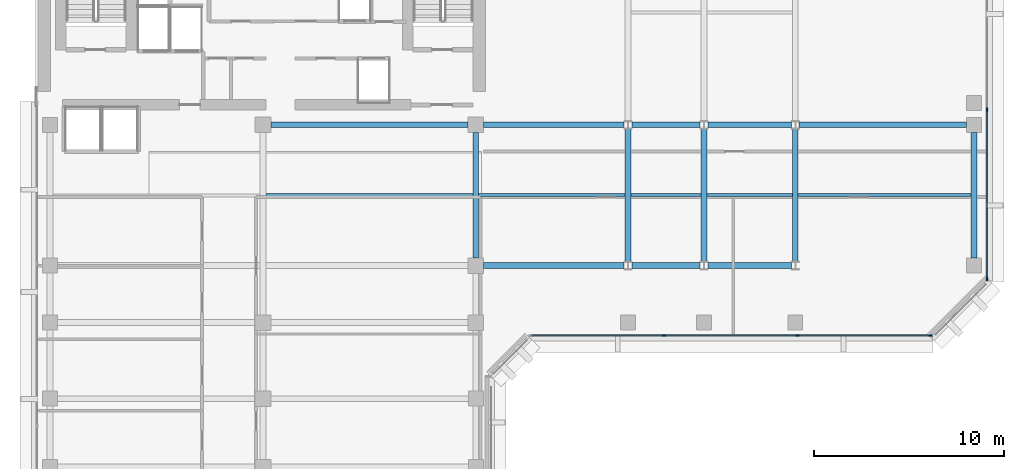
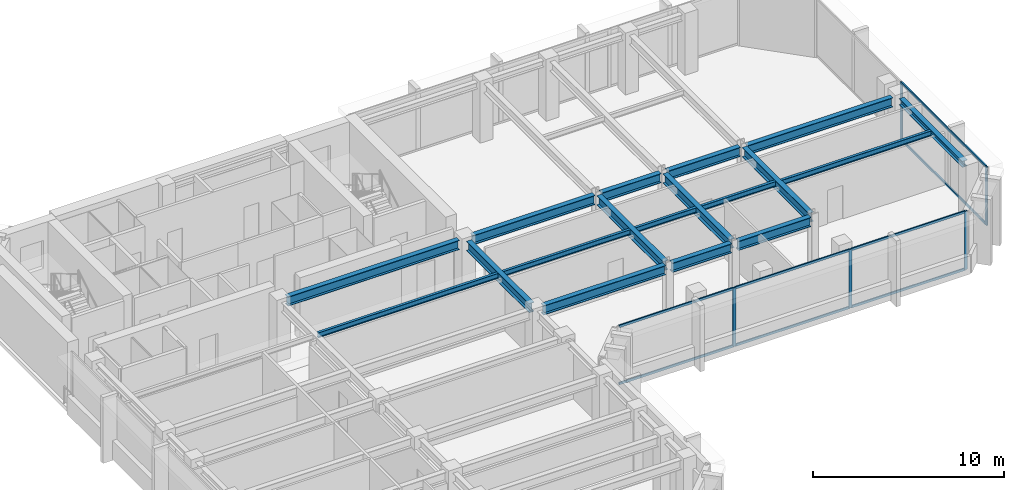
# One storey, part 3 of 12: 18 beams, 13 members, 2 elements without a shape of their own.
"""IFC4 building model written with IfcOpenShell, lengths in metres."""

from ifc_helpers import new_model, si_unit, direction, frame, origin, origin_2d, place, context, subcontext, project, spatial, rectangle, i_section, extrude, material, layer, layer_set, material_profile, profile_set, type_object, element, aggregate, save


model = new_model("IFC4")

# Units and contexts
model_context = context("Model", 3, precision=1e-05, world=origin(), true_north=direction((0.0, 1.0)))
body_context = subcontext(model_context, "Body", "Model", "MODEL_VIEW")
ifc_project = project(units=[si_unit("LENGTHUNIT", "METRE"), si_unit("AREAUNIT", "SQUARE_METRE"), si_unit("VOLUMEUNIT", "CUBIC_METRE"), si_unit("PLANEANGLEUNIT", "RADIAN"), si_unit("MASSUNIT", "GRAM", prefix="KILO")], contexts=[model_context])

# Site, building, storey
site_placement = place(None, origin())
site = spatial("IfcSite", under=ifc_project, at=site_placement, CompositionType="ELEMENT")
building_placement = place(site_placement, origin())
building = spatial("IfcBuilding", under=site, at=building_placement, Name="Kefirva Bronze Tower", CompositionType="ELEMENT")
storey_placement = place(building_placement, frame((0.0, 0.0, 268.2900390625)))
storey = spatial("IfcBuildingStorey", under=building, at=storey_placement, Name="L65", CompositionType="ELEMENT", Elevation=268.2900390625)

# Curtain wall, members
ifc_material_1 = material(Name="Bronze anodised aluminium", Category="aluminium")
ifc_layer = layer(ifc_material_1, 0.179931640625, Name="Bronze anodised aluminium")
ifc_layer_set = layer_set([ifc_layer], Name="Bronze anodised aluminium")
curtain_wall_type = type_object("IfcCurtainWallType", Name="Unitised Bronze Ribbon Curtain Wall Zone 3", PredefinedType="USERDEFINED", material=ifc_layer_set)
curtain_wall_1_placement = place(storey_placement, origin())
curtain_wall_1 = element("IfcCurtainWall", 1, at=curtain_wall_1_placement, inside=storey, type_object=curtain_wall_type, Name="L65 Curtain Wall 2", ObjectType="UNITISED CURTAIN WALL", PredefinedType="USERDEFINED")
ifc_material_profile_1 = material_profile(ifc_material_1, rectangle(XDim=0.074951171875, YDim=0.179931640625, at=origin_2d()), Name="ALU 75x180")
ifc_profile_set_1 = profile_set([ifc_material_profile_1], Name="Bronze anodised aluminium")
member_type_1 = type_object("IfcMemberType", Name="Bronze Mullion 75x180", PredefinedType="MULLION", material=ifc_profile_set_1)
member_1_placement = place(storey_placement, frame((33.0849609375, 22.1201171875, 0.0), z_axis=(0.0, 0.0, 1.0), x_axis=(0.0, 1.0, 0.0)))
member_1 = element("IfcMember", 2, at=member_1_placement, type_object=member_type_1, Name="CW-03 mullion 2", PredefinedType="MULLION", context=body_context, shape_type="SweptSolid", body=[
    extrude(rectangle(XDim=0.074951171875, YDim=0.179931640625, at=origin_2d()), origin(), (0.0, 0.0, 1.0), 3.739990234375),
])
member_2_placement = place(storey_placement, frame((40.114990234375, 22.1201171875, 0.0), z_axis=(0.0, 0.0, 1.0), x_axis=(0.0, 1.0, 0.0)))
member_2 = element("IfcMember", 3, at=member_2_placement, type_object=member_type_1, Name="CW-03 mullion 3", PredefinedType="MULLION", context=body_context, shape_type="SweptSolid", body=[
    extrude(rectangle(XDim=0.074951171875, YDim=0.179931640625, at=origin_2d()), origin(), (0.0, 0.0, 1.0), 3.739990234375),
])
member_3_placement = place(storey_placement, frame((47.107421875, 22.1201171875, 0.0), z_axis=(0.0, 0.0, 1.0), x_axis=(0.0, 1.0, 0.0)))
member_3 = element("IfcMember", 4, at=member_3_placement, type_object=member_type_1, Name="CW-03 mullion 4", PredefinedType="MULLION", context=body_context, shape_type="SweptSolid", body=[
    extrude(rectangle(XDim=0.074951171875, YDim=0.179931640625, at=origin_2d()), origin(), (0.0, 0.0, 1.0), 3.739990234375),
])

curtain_wall_2_placement = place(storey_placement, origin())
curtain_wall_2 = element("IfcCurtainWall", 5, at=curtain_wall_2_placement, inside=storey, type_object=curtain_wall_type, Name="L65 Curtain Wall 3", ObjectType="UNITISED CURTAIN WALL", PredefinedType="USERDEFINED")
member_4_placement = place(storey_placement, frame((50.080078125, 25.092529296875, 0.0), z_axis=(0.0, 0.0, 1.0), x_axis=(-1.0, 0.0, 0.0)))
member_4 = element("IfcMember", 6, at=member_4_placement, type_object=member_type_1, Name="CW-03 mullion 1", PredefinedType="MULLION", context=body_context, shape_type="SweptSolid", body=[
    extrude(rectangle(XDim=0.074951171875, YDim=0.179931640625, at=origin_2d()), origin(), (0.0, 0.0, 1.0), 3.739990234375),
])
member_5_placement = place(storey_placement, frame((50.080078125, 34.0, 0.0), z_axis=(0.0, 0.0, 1.0), x_axis=(-1.0, 0.0, 0.0)))
member_5 = element("IfcMember", 7, at=member_5_placement, type_object=member_type_1, Name="CW-03 mullion 2", PredefinedType="MULLION", context=body_context, shape_type="SweptSolid", body=[
    extrude(rectangle(XDim=0.074951171875, YDim=0.179931640625, at=origin_2d()), origin(), (0.0, 0.0, 1.0), 3.739990234375),
])

# Member
ifc_material_profile_2 = material_profile(ifc_material_1, rectangle(XDim=0.074951171875, YDim=0.14990234375, at=origin_2d()), Name="ALU 75x150")
ifc_profile_set_2 = profile_set([ifc_material_profile_2], Name="Bronze anodised aluminium")
member_type_2 = type_object("IfcMemberType", Name="Bronze Transom 75x150", PredefinedType="USERDEFINED", material=ifc_profile_set_2)
member_6_placement = place(storey_placement, frame((26.1298828125, 22.1201171875, 0.037353515625), z_axis=(1.0, 0.0, 0.0), x_axis=(0.0, 1.0, 0.0)))
member_6 = element("IfcMember", 8, at=member_6_placement, type_object=member_type_2, Name="CW-03 transom 1.1", ObjectType="TRANSOM", PredefinedType="USERDEFINED", context=body_context, shape_type="SweptSolid", body=[
    extrude(rectangle(XDim=0.074951171875, YDim=0.14990234375, at=origin_2d()), origin(), (0.0, 0.0, 1.0), 6.917724609375),
])

member_7_placement = place(storey_placement, frame((26.1298828125, 22.1201171875, 3.702392578125), z_axis=(1.0, 0.0, 0.0), x_axis=(0.0, 1.0, 0.0)))
member_7 = element("IfcMember", 9, at=member_7_placement, type_object=member_type_2, Name="CW-03 transom 1.2", ObjectType="TRANSOM", PredefinedType="USERDEFINED", context=body_context, shape_type="SweptSolid", body=[
    extrude(rectangle(XDim=0.074951171875, YDim=0.14990234375, at=origin_2d()), origin(), (0.0, 0.0, 1.0), 6.917724609375),
])

member_8_placement = place(storey_placement, frame((33.12255859375, 22.1201171875, 0.037353515625), z_axis=(1.0, 0.0, 0.0), x_axis=(0.0, 1.0, 0.0)))
member_8 = element("IfcMember", 10, at=member_8_placement, type_object=member_type_2, Name="CW-03 transom 2.1", ObjectType="TRANSOM", PredefinedType="USERDEFINED", context=body_context, shape_type="SweptSolid", body=[
    extrude(rectangle(XDim=0.074951171875, YDim=0.14990234375, at=origin_2d()), origin(), (0.0, 0.0, 1.0), 6.954833984375),
])

member_9_placement = place(storey_placement, frame((33.12255859375, 22.1201171875, 3.702392578125), z_axis=(1.0, 0.0, 0.0), x_axis=(0.0, 1.0, 0.0)))
member_9 = element("IfcMember", 11, at=member_9_placement, type_object=member_type_2, Name="CW-03 transom 2.2", ObjectType="TRANSOM", PredefinedType="USERDEFINED", context=body_context, shape_type="SweptSolid", body=[
    extrude(rectangle(XDim=0.074951171875, YDim=0.14990234375, at=origin_2d()), origin(), (0.0, 0.0, 1.0), 6.954833984375),
])

member_10_placement = place(storey_placement, frame((40.152587890625, 22.1201171875, 0.037353515625), z_axis=(1.0, 0.0, 0.0), x_axis=(0.0, 1.0, 0.0)))
member_10 = element("IfcMember", 12, at=member_10_placement, type_object=member_type_2, Name="CW-03 transom 3.1", ObjectType="TRANSOM", PredefinedType="USERDEFINED", context=body_context, shape_type="SweptSolid", body=[
    extrude(rectangle(XDim=0.074951171875, YDim=0.14990234375, at=origin_2d()), origin(), (0.0, 0.0, 1.0), 6.91748046875),
])

member_11_placement = place(storey_placement, frame((40.152587890625, 22.1201171875, 3.702392578125), z_axis=(1.0, 0.0, 0.0), x_axis=(0.0, 1.0, 0.0)))
member_11 = element("IfcMember", 13, at=member_11_placement, type_object=member_type_2, Name="CW-03 transom 3.2", ObjectType="TRANSOM", PredefinedType="USERDEFINED", context=body_context, shape_type="SweptSolid", body=[
    extrude(rectangle(XDim=0.074951171875, YDim=0.14990234375, at=origin_2d()), origin(), (0.0, 0.0, 1.0), 6.91748046875),
])

aggregate(curtain_wall_1, [member_1, member_2, member_3, member_6, member_7, member_8, member_9, member_10, member_11])

member_12_placement = place(storey_placement, frame((50.080078125, 25.1298828125, 0.037353515625), z_axis=(0.0, 1.0, 0.0), x_axis=(-1.0, 0.0, 0.0)))
member_12 = element("IfcMember", 14, at=member_12_placement, type_object=member_type_2, Name="CW-03 transom 1.1", ObjectType="TRANSOM", PredefinedType="USERDEFINED", context=body_context, shape_type="SweptSolid", body=[
    extrude(rectangle(XDim=0.074951171875, YDim=0.14990234375, at=origin_2d()), origin(), (0.0, 0.0, 1.0), 8.83251953125),
])

member_13_placement = place(storey_placement, frame((50.080078125, 25.1298828125, 3.702392578125), z_axis=(0.0, 1.0, 0.0), x_axis=(-1.0, 0.0, 0.0)))
member_13 = element("IfcMember", 15, at=member_13_placement, type_object=member_type_2, Name="CW-03 transom 1.2", ObjectType="TRANSOM", PredefinedType="USERDEFINED", context=body_context, shape_type="SweptSolid", body=[
    extrude(rectangle(XDim=0.074951171875, YDim=0.14990234375, at=origin_2d()), origin(), (0.0, 0.0, 1.0), 8.83251953125),
])

aggregate(curtain_wall_2, [member_4, member_5, member_12, member_13])

# Beams
ifc_material_2 = material(Name="Steel S355", Category="steel")
ifc_material_profile_3 = material_profile(ifc_material_2, i_section(OverallWidth=0.159912109375, OverallDepth=0.330078125, WebThickness=0.007568359375, FlangeThickness=0.011474609375, at=origin_2d()), Name="IPE 330")
ifc_profile_set_3 = profile_set([ifc_material_profile_3], Name="Steel S355")
beam_type_1 = type_object("IfcBeamType", Name="Steel Floor Joist IPE 330", PredefinedType="JOIST", material=ifc_profile_set_3)
beam_1_placement = place(storey_placement, frame((12.14990234375, 29.5, 3.574951171875), z_axis=(1.0, 0.0, 0.0), x_axis=(0.0, 1.0, 0.0)))
element("IfcBeam", 16, at=beam_1_placement, inside=storey, type_object=beam_type_1, Name="L65 JST-L65-12-295", PredefinedType="JOIST", context=body_context, shape_type="SweptSolid", body=[
    extrude(i_section(OverallWidth=0.159912109375, OverallDepth=0.330078125, WebThickness=0.007568359375, FlangeThickness=0.011474609375, at=origin_2d()), origin(), (0.0, 0.0, 1.0), 10.900146484375),
])
beam_2_placement = place(storey_placement, frame((23.35009765625, 29.5, 3.574951171875), z_axis=(1.0, 0.0, 0.0), x_axis=(0.0, 1.0, 0.0)))
element("IfcBeam", 17, at=beam_2_placement, inside=storey, type_object=beam_type_1, Name="L65 JST-L65-23-295", PredefinedType="JOIST", context=body_context, shape_type="SweptSolid", body=[
    extrude(i_section(OverallWidth=0.159912109375, OverallDepth=0.330078125, WebThickness=0.007568359375, FlangeThickness=0.011474609375, at=origin_2d()), origin(), (0.0, 0.0, 1.0), 7.699951171875),
])
beam_3_placement = place(storey_placement, frame((31.35009765625, 29.5, 3.574951171875), z_axis=(1.0, 0.0, 0.0), x_axis=(0.0, 1.0, 0.0)))
element("IfcBeam", 18, at=beam_3_placement, inside=storey, type_object=beam_type_1, Name="L65 JST-L65-31-295", PredefinedType="JOIST", context=body_context, shape_type="SweptSolid", body=[
    extrude(i_section(OverallWidth=0.159912109375, OverallDepth=0.330078125, WebThickness=0.007568359375, FlangeThickness=0.011474609375, at=origin_2d()), origin(), (0.0, 0.0, 1.0), 3.699951171875),
])
beam_4_placement = place(storey_placement, frame((35.35009765625, 29.5, 3.574951171875), z_axis=(1.0, 0.0, 0.0), x_axis=(0.0, 1.0, 0.0)))
element("IfcBeam", 19, at=beam_4_placement, inside=storey, type_object=beam_type_1, Name="L65 JST-L65-35-295", PredefinedType="JOIST", context=body_context, shape_type="SweptSolid", body=[
    extrude(i_section(OverallWidth=0.159912109375, OverallDepth=0.330078125, WebThickness=0.007568359375, FlangeThickness=0.011474609375, at=origin_2d()), origin(), (0.0, 0.0, 1.0), 4.5),
])
beam_5_placement = place(storey_placement, frame((40.14990234375, 29.5, 3.514892578125), z_axis=(1.0, 0.0, 0.0), x_axis=(0.0, 1.0, 0.0)))
element("IfcBeam", 20, at=beam_5_placement, inside=storey, type_object=beam_type_1, Name="L65 JST-L65-40-295", PredefinedType="JOIST", context=body_context, shape_type="SweptSolid", body=[
    extrude(i_section(OverallWidth=0.159912109375, OverallDepth=0.330078125, WebThickness=0.007568359375, FlangeThickness=0.011474609375, at=origin_2d()), origin(), (0.0, 0.0, 1.0), 9.10009765625),
])
ifc_material_profile_4 = material_profile(ifc_material_2, i_section(OverallWidth=0.300048828125, OverallDepth=0.60009765625, WebThickness=0.015380859375, FlangeThickness=0.030029296875, at=origin_2d()), Name="HEB 600")
ifc_profile_set_4 = profile_set([ifc_material_profile_4], Name="Steel S355")
beam_type_2 = type_object("IfcBeamType", Name="Steel Girder HEB 600", PredefinedType="USERDEFINED", material=ifc_profile_set_4)
beam_6_placement = place(storey_placement, frame((23.610107421875, 25.800048828125, 3.43994140625), z_axis=(1.0, 0.0, 0.0), x_axis=(0.0, 1.0, 0.0)))
element("IfcBeam", 21, at=beam_6_placement, inside=storey, type_object=beam_type_2, Name="L65 BM-L65-EW-23-258", ObjectType="GIRDER", PredefinedType="USERDEFINED", context=body_context, shape_type="SweptSolid", body=[
    extrude(i_section(OverallWidth=0.300048828125, OverallDepth=0.60009765625, WebThickness=0.015380859375, FlangeThickness=0.030029296875, at=origin_2d()), origin(), (0.0, 0.0, 1.0), 7.3837890625),
])
beam_7_placement = place(storey_placement, frame((31.406005859375, 25.800048828125, 3.43994140625), z_axis=(1.0, 0.0, 0.0), x_axis=(0.0, 1.0, 0.0)))
element("IfcBeam", 22, at=beam_7_placement, inside=storey, type_object=beam_type_2, Name="L65 BM-L65-EW-31-258", ObjectType="GIRDER", PredefinedType="USERDEFINED", context=body_context, shape_type="SweptSolid", body=[
    extrude(i_section(OverallWidth=0.300048828125, OverallDepth=0.60009765625, WebThickness=0.015380859375, FlangeThickness=0.030029296875, at=origin_2d()), origin(), (0.0, 0.0, 1.0), 3.587890625),
])
beam_8_placement = place(storey_placement, frame((35.406005859375, 25.800048828125, 3.43994140625), z_axis=(1.0, 0.0, 0.0), x_axis=(0.0, 1.0, 0.0)))
element("IfcBeam", 23, at=beam_8_placement, inside=storey, type_object=beam_type_2, Name="L65 BM-L65-EW-35-258", ObjectType="GIRDER", PredefinedType="USERDEFINED", context=body_context, shape_type="SweptSolid", body=[
    extrude(i_section(OverallWidth=0.300048828125, OverallDepth=0.60009765625, WebThickness=0.015380859375, FlangeThickness=0.030029296875, at=origin_2d()), origin(), (0.0, 0.0, 1.0), 4.387939453125),
])
beam_9_placement = place(storey_placement, frame((12.409912109375, 33.199951171875, 3.43994140625), z_axis=(1.0, 0.0, 0.0), x_axis=(0.0, 1.0, 0.0)))
element("IfcBeam", 24, at=beam_9_placement, inside=storey, type_object=beam_type_2, Name="L65 BM-L65-EW-12-332", ObjectType="GIRDER", PredefinedType="USERDEFINED", context=body_context, shape_type="SweptSolid", body=[
    extrude(i_section(OverallWidth=0.300048828125, OverallDepth=0.60009765625, WebThickness=0.015380859375, FlangeThickness=0.030029296875, at=origin_2d()), origin(), (0.0, 0.0, 1.0), 10.380126953125),
])
beam_10_placement = place(storey_placement, frame((23.610107421875, 33.199951171875, 3.43994140625), z_axis=(1.0, 0.0, 0.0), x_axis=(0.0, 1.0, 0.0)))
element("IfcBeam", 25, at=beam_10_placement, inside=storey, type_object=beam_type_2, Name="L65 BM-L65-EW-23-332", ObjectType="GIRDER", PredefinedType="USERDEFINED", context=body_context, shape_type="SweptSolid", body=[
    extrude(i_section(OverallWidth=0.300048828125, OverallDepth=0.60009765625, WebThickness=0.015380859375, FlangeThickness=0.030029296875, at=origin_2d()), origin(), (0.0, 0.0, 1.0), 7.3837890625),
])
beam_11_placement = place(storey_placement, frame((31.406005859375, 33.199951171875, 3.43994140625), z_axis=(1.0, 0.0, 0.0), x_axis=(0.0, 1.0, 0.0)))
element("IfcBeam", 26, at=beam_11_placement, inside=storey, type_object=beam_type_2, Name="L65 BM-L65-EW-31-332", ObjectType="GIRDER", PredefinedType="USERDEFINED", context=body_context, shape_type="SweptSolid", body=[
    extrude(i_section(OverallWidth=0.300048828125, OverallDepth=0.60009765625, WebThickness=0.015380859375, FlangeThickness=0.030029296875, at=origin_2d()), origin(), (0.0, 0.0, 1.0), 3.587890625),
])
beam_12_placement = place(storey_placement, frame((35.406005859375, 33.199951171875, 3.43994140625), z_axis=(1.0, 0.0, 0.0), x_axis=(0.0, 1.0, 0.0)))
element("IfcBeam", 27, at=beam_12_placement, inside=storey, type_object=beam_type_2, Name="L65 BM-L65-EW-35-332", ObjectType="GIRDER", PredefinedType="USERDEFINED", context=body_context, shape_type="SweptSolid", body=[
    extrude(i_section(OverallWidth=0.300048828125, OverallDepth=0.60009765625, WebThickness=0.015380859375, FlangeThickness=0.030029296875, at=origin_2d()), origin(), (0.0, 0.0, 1.0), 4.387939453125),
])
beam_13_placement = place(storey_placement, frame((40.2060546875, 33.199951171875, 3.3798828125), z_axis=(1.0, 0.0, 0.0), x_axis=(0.0, 1.0, 0.0)))
element("IfcBeam", 28, at=beam_13_placement, inside=storey, type_object=beam_type_2, Name="L65 BM-L65-EW-40-332", ObjectType="GIRDER", PredefinedType="USERDEFINED", context=body_context, shape_type="SweptSolid", body=[
    extrude(i_section(OverallWidth=0.300048828125, OverallDepth=0.60009765625, WebThickness=0.015380859375, FlangeThickness=0.030029296875, at=origin_2d()), origin(), (0.0, 0.0, 1.0), 8.803955078125),
])
beam_14_placement = place(storey_placement, frame((23.199951171875, 26.2099609375, 3.43994140625), z_axis=(0.0, 1.0, 0.0), x_axis=(-1.0, 0.0, 0.0)))
element("IfcBeam", 29, at=beam_14_placement, inside=storey, type_object=beam_type_2, Name="L65 BM-L65-NS-232-25", ObjectType="GIRDER", PredefinedType="USERDEFINED", context=body_context, shape_type="SweptSolid", body=[
    extrude(i_section(OverallWidth=0.300048828125, OverallDepth=0.60009765625, WebThickness=0.015380859375, FlangeThickness=0.030029296875, at=origin_2d()), origin(), (0.0, 0.0, 1.0), 6.580078125),
])
for number, where, z_axis, x_axis, name in (
    (30, (31.199951171875, 26.017578125, 3.43994140625), (0.0, 1.0, 0.0), (-1.0, 0.0, 0.0), "L65 BM-L65-NS-312-25"),
    (31, (35.199951171875, 26.017578125, 3.43994140625), (0.0, 1.0, 0.0), (-1.0, 0.0, 0.0), "L65 BM-L65-NS-352-25"),
    (32, (40.0, 26.017578125, 3.43994140625), (0.0, 1.0, 0.0), (-1.0, 0.0, 0.0), "L65 BM-L65-NS-400-25"),
):
    element("IfcBeam", number, at=place(storey_placement, frame(where, z_axis=z_axis, x_axis=x_axis)), inside=storey, type_object=beam_type_2, Name=name, ObjectType="GIRDER", PredefinedType="USERDEFINED", context=body_context, shape_type="SweptSolid", body=[
        extrude(i_section(OverallWidth=0.300048828125, OverallDepth=0.60009765625, WebThickness=0.015380859375, FlangeThickness=0.030029296875, at=origin_2d()), origin(), (0.0, 0.0, 1.0), 6.96484375),
    ])
ifc_material_profile_5 = material_profile(ifc_material_2, i_section(OverallWidth=0.300048828125, OverallDepth=0.39990234375, WebThickness=0.013427734375, FlangeThickness=0.02392578125, at=origin_2d()), Name="HEB 400")
ifc_profile_set_5 = profile_set([ifc_material_profile_5], Name="Steel S355")
beam_type_3 = type_object("IfcBeamType", Name="Steel Spandrel HEB 400 Ext", PredefinedType="SPANDREL", material=ifc_profile_set_5)
beam_15_placement = place(storey_placement, frame((49.39990234375, 26.18994140625, 3.47998046875), z_axis=(0.0, 1.0, 0.0), x_axis=(-1.0, 0.0, 0.0)))
element("IfcBeam", 33, at=beam_15_placement, inside=storey, type_object=beam_type_3, Name="L65 BM-L65-NS-494-25", PredefinedType="SPANDREL", context=body_context, shape_type="SweptSolid", body=[
    extrude(i_section(OverallWidth=0.300048828125, OverallDepth=0.39990234375, WebThickness=0.013427734375, FlangeThickness=0.02392578125, at=origin_2d()), origin(), (0.0, 0.0, 1.0), 6.6201171875),
])

save(model, "model.ifc")
